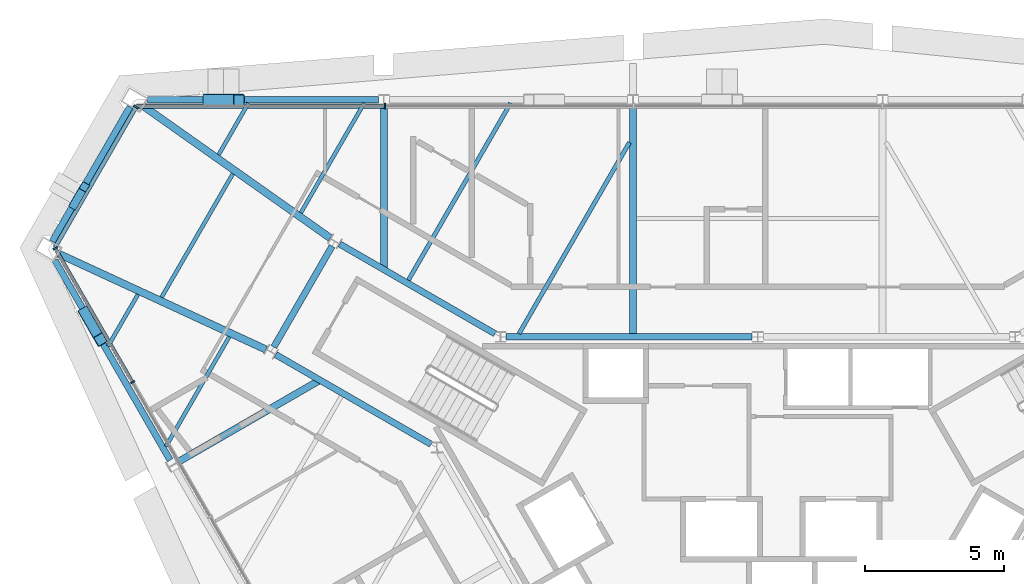
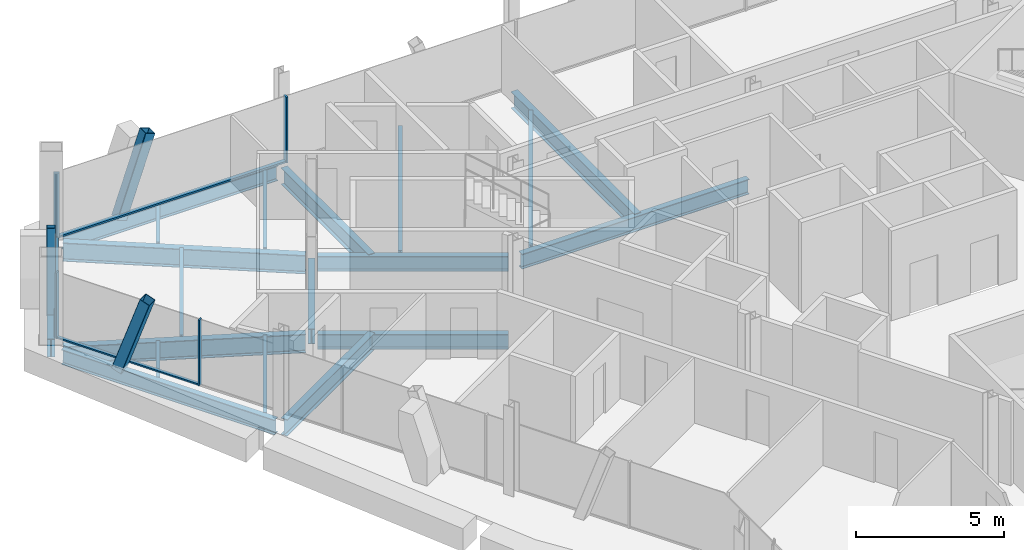
# One storey, part 7 of 16: 19 beams, 10 members, 3 elements without a shape of their own.
"""IFC4 building model written with IfcOpenShell, lengths in metres."""

from ifc_helpers import new_model, si_unit, direction, frame, origin, origin_2d, place, context, subcontext, project, spatial, rectangle, hollow_rectangle, i_section, extrude, material, material_profile, profile_set, type_object, element, aggregate, save


model = new_model("IFC4")

# Units and contexts
model_context = context("Model", 3, precision=1e-05, world=origin(), true_north=direction((0.0, 1.0)))
body_context = subcontext(model_context, "Body", "Model", "MODEL_VIEW")
ifc_project = project(units=[si_unit("LENGTHUNIT", "METRE"), si_unit("AREAUNIT", "SQUARE_METRE"), si_unit("VOLUMEUNIT", "CUBIC_METRE"), si_unit("PLANEANGLEUNIT", "RADIAN"), si_unit("MASSUNIT", "GRAM", prefix="KILO")], contexts=[model_context])

# Site, building, storey
site_placement = place(None, origin())
site = spatial("IfcSite", under=ifc_project, at=site_placement, CompositionType="ELEMENT")
building_placement = place(site_placement, origin())
building = spatial("IfcBuilding", under=site, at=building_placement, Name="Verrane Prism Tower", CompositionType="ELEMENT")
storey_placement = place(building_placement, frame((0.0, 0.0, 239.699951171875)))
storey = spatial("IfcBuildingStorey", under=building, at=storey_placement, Name="L60", CompositionType="ELEMENT", Elevation=239.699951171875)

# Member
ifc_material_1 = material(Name="Steel A500 Grade C", Category="steel")
ifc_material_profile_1 = material_profile(ifc_material_1, hollow_rectangle(XDim=0.3046875, YDim=0.3046875, WallThickness=0.0126953125, InnerFilletRadius=0.00634765625, OuterFilletRadius=0.01904296875, at=origin_2d()), Name="HSS12x12x1/2")
ifc_profile_set_1 = profile_set([ifc_material_profile_1], Name="Steel A500 Grade C")
member_type_1 = type_object("IfcMemberType", Name="Chamfer brace HSS12x12x1/2", PredefinedType="BRACE", material=ifc_profile_set_1)
member_1_placement = place(storey_placement, frame((-24.60888671875, 12.755615234375, -0.242431640625), z_axis=(0.116417129908, 0.201667469132, 0.972510814211), x_axis=(-0.866054481515, 0.499949632511, 0.0)))
element("IfcMember", 1, at=member_1_placement, inside=storey, type_object=member_type_1, Name="Chamfer brace NW0 L60", PredefinedType="BRACE", context=body_context, shape_type="SweptSolid", body=[
    extrude(hollow_rectangle(XDim=0.3046875, YDim=0.3046875, WallThickness=0.0126953125, InnerFilletRadius=0.00634765625, OuterFilletRadius=0.01904296875, at=origin_2d()), origin(), (0.0, 0.0, 1.0), 3.196044921875),
])

# Beams
ifc_material_2 = material(Name="Steel A992", Category="steel")
ifc_material_profile_2 = material_profile(ifc_material_2, i_section(OverallWidth=0.2666015625, OverallDepth=0.7568359375, WebThickness=0.013916015625, FlangeThickness=0.019287109375, FilletRadius=0.0166015625, at=origin_2d()), Name="W30x108")
ifc_profile_set_2 = profile_set([ifc_material_profile_2], Name="Steel A992")
beam_type_1 = type_object("IfcBeamType", Name="Chamfer spandrel beam W30x108", PredefinedType="SPANDREL", material=ifc_profile_set_2)
beam_1_placement = place(storey_placement, frame((-22.580078125, 16.270263671875, -0.538330078125), z_axis=(-0.499927487467, -0.866067264868, 0.0), x_axis=(0.866067264868, -0.499927487467, 0.0)))
element("IfcBeam", 2, at=beam_1_placement, inside=storey, type_object=beam_type_1, Name="Chamfer spandrel beam L60", PredefinedType="SPANDREL", context=body_context, shape_type="SweptSolid", body=[
    extrude(i_section(OverallWidth=0.2666015625, OverallDepth=0.7568359375, WebThickness=0.013916015625, FlangeThickness=0.019287109375, FilletRadius=0.0166015625, at=origin_2d()), origin(), (0.0, 0.0, 1.0), 5.600341796875),
])
ifc_material_3 = material(Name="Steel A992", Category="steel")
ifc_material_profile_3 = material_profile(ifc_material_3, i_section(OverallWidth=0.23046875, OverallDepth=0.6171875, WebThickness=0.01318359375, FlangeThickness=0.022216796875, FilletRadius=0.012939453125, at=origin_2d()), Name="W24x94")
ifc_profile_set_3 = profile_set([ifc_material_profile_3], Name="Steel A992")
beam_type_2 = type_object("IfcBeamType", Name="Core ring girder W24x94", PredefinedType="BEAM", material=ifc_profile_set_3)
beam_2_placement = place(storey_placement, frame((-0.199462890625, 8.0, -0.55859375), z_axis=(-1.0, 0.0, 0.0), x_axis=(0.0, -1.0, 0.0)))
element("IfcBeam", 3, at=beam_2_placement, inside=storey, type_object=beam_type_2, Name="Core ring girder L60", PredefinedType="BEAM", context=body_context, shape_type="SweptSolid", body=[
    extrude(i_section(OverallWidth=0.23046875, OverallDepth=0.6171875, WebThickness=0.01318359375, FlangeThickness=0.022216796875, FilletRadius=0.012939453125, at=origin_2d()), origin(), (0.0, 0.0, 1.0), 8.861083984375),
])
beam_3_placement = place(storey_placement, frame((-9.45947265625, 8.114990234375, -0.55859375), z_axis=(-0.866080992722, 0.499903704773, 0.0), x_axis=(-0.499903704773, -0.866080992722, 0.0)))
element("IfcBeam", 4, at=beam_3_placement, inside=storey, type_object=beam_type_2, Name="Core ring girder L60", PredefinedType="BEAM", context=body_context, shape_type="SweptSolid", body=[
    extrude(i_section(OverallWidth=0.23046875, OverallDepth=0.6171875, WebThickness=0.01318359375, FlangeThickness=0.022216796875, FilletRadius=0.012939453125, at=origin_2d()), origin(), (0.0, 0.0, 1.0), 6.451904296875),
])
beam_4_placement = place(storey_placement, frame((-15.3203125, 11.266357421875, -0.55859375), z_axis=(-0.500375511519, -0.865808493532, 0.0), x_axis=(0.865808493532, -0.500375511519, 0.0)))
element("IfcBeam", 5, at=beam_4_placement, inside=storey, type_object=beam_type_2, Name="Core ring girder L60", PredefinedType="BEAM", context=body_context, shape_type="SweptSolid", body=[
    extrude(i_section(OverallWidth=0.23046875, OverallDepth=0.6171875, WebThickness=0.01318359375, FlangeThickness=0.022216796875, FilletRadius=0.012939453125, at=origin_2d()), origin(), (0.0, 0.0, 1.0), 4.195556640625),
])
beam_5_placement = place(storey_placement, frame((-17.347412109375, 7.3603515625, -0.55859375), z_axis=(0.866080992722, -0.499903704773, 0.0), x_axis=(0.499903704773, 0.866080992722, 0.0)))
element("IfcBeam", 6, at=beam_5_placement, inside=storey, type_object=beam_type_2, Name="Core ring girder L60", PredefinedType="BEAM", context=body_context, shape_type="SweptSolid", body=[
    extrude(i_section(OverallWidth=0.23046875, OverallDepth=0.6171875, WebThickness=0.01318359375, FlangeThickness=0.022216796875, FilletRadius=0.012939453125, at=origin_2d()), origin(), (0.0, 0.0, 1.0), 6.451904296875),
])
ifc_material_4 = material(Name="Steel A992", Category="steel")
ifc_material_profile_4 = material_profile(ifc_material_4, i_section(OverallWidth=0.2666015625, OverallDepth=0.76708984375, WebThickness=0.014892578125, FlangeThickness=0.023681640625, FilletRadius=0.0166015625, at=origin_2d()), Name="W30x124")
ifc_profile_set_4 = profile_set([ifc_material_profile_4], Name="Steel A992")
beam_type_3 = type_object("IfcBeamType", Name="Corner girder W30x124", PredefinedType="BEAM", material=ifc_profile_set_4)
beam_6_placement = place(storey_placement, frame((-22.101806640625, 16.29833984375, -0.603515625), z_axis=(0.816932483904, -0.576733315096, 0.0), x_axis=(0.576733315096, 0.816932483904, 0.0)))
element("IfcBeam", 7, at=beam_6_placement, inside=storey, type_object=beam_type_3, Name="Corner girder L60", PredefinedType="BEAM", context=body_context, shape_type="SweptSolid", body=[
    extrude(i_section(OverallWidth=0.2666015625, OverallDepth=0.76708984375, WebThickness=0.014892578125, FlangeThickness=0.023681640625, FilletRadius=0.0166015625, at=origin_2d()), origin(), (0.0, 0.0, 1.0), 8.223876953125),
])
beam_7_placement = place(storey_placement, frame((-25.165283203125, 10.99169921875, -0.603515625), z_axis=(0.907815050259, -0.419370760215, 0.0), x_axis=(0.419370760215, 0.907815050259, 0.0)))
element("IfcBeam", 8, at=beam_7_placement, inside=storey, type_object=beam_type_3, Name="Corner girder L60", PredefinedType="BEAM", context=body_context, shape_type="SweptSolid", body=[
    extrude(i_section(OverallWidth=0.2666015625, OverallDepth=0.76708984375, WebThickness=0.014892578125, FlangeThickness=0.023681640625, FilletRadius=0.0166015625, at=origin_2d()), origin(), (0.0, 0.0, 1.0), 8.22119140625),
])

# Members
ifc_material_5 = material(Name="Steel A500 Grade C", Category="steel")
ifc_material_profile_5 = material_profile(ifc_material_5, hollow_rectangle(XDim=0.406494140625, YDim=0.406494140625, WallThickness=0.01904296875, InnerFilletRadius=0.009521484375, OuterFilletRadius=0.028564453125, at=origin_2d()), Name="HSS16x16x3/4")
ifc_profile_set_5 = profile_set([ifc_material_profile_5], Name="Steel A500 Grade C")
member_type_2 = type_object("IfcMemberType", Name="Facade brace HSS16x16x3/4", PredefinedType="BRACE", material=ifc_profile_set_5)
for number, where, z_axis, x_axis, name in (
    (9, (-19.77978515625, 16.530029296875, -0.216552734375), (0.327207251662, 0.0, 0.944952599054), (0.0, 1.0, 0.0), "Facade brace N4 L60"),
    (10, (-24.206298828125, 8.864501953125, -0.216552734375), (0.163420276173, -0.283531291876, 0.94493588135), (0.866391147706, 0.499365977191, 0.0), "Facade brace SW0 L60"),
):
    element("IfcMember", number, at=place(storey_placement, frame(where, z_axis=z_axis, x_axis=x_axis)), inside=storey, type_object=member_type_2, Name=name, PredefinedType="BRACE", context=body_context, shape_type="SweptSolid", body=[
        extrude(hollow_rectangle(XDim=0.406494140625, YDim=0.406494140625, WallThickness=0.01904296875, InnerFilletRadius=0.009521484375, OuterFilletRadius=0.028564453125, at=origin_2d()), origin(), (0.0, 0.0, 1.0), 3.38232421875),
    ])

# Beams
ifc_material_6 = material(Name="Steel A992", Category="steel")
ifc_material_profile_6 = material_profile(ifc_material_6, i_section(OverallWidth=0.140380859375, OverallDepth=0.40380859375, WebThickness=0.007080078125, FlangeThickness=0.01123046875, FilletRadius=0.01025390625, at=origin_2d()), Name="W16x31")
ifc_profile_set_6 = profile_set([ifc_material_profile_6], Name="Steel A992")
beam_type_4 = type_object("IfcBeamType", Name="Floor beam W16x31", PredefinedType="BEAM", material=ifc_profile_set_6)
beam_8_placement = place(storey_placement, frame((-16.44384765625, 12.46728515625, -0.36181640625), z_axis=(0.499969718208, 0.866042886279, 0.0), x_axis=(-0.866042886279, 0.499969718208, 0.0)))
element("IfcBeam", 11, at=beam_8_placement, inside=storey, type_object=beam_type_4, Name="Floor beam L60", PredefinedType="BEAM", context=body_context, shape_type="SweptSolid", body=[
    extrude(i_section(OverallWidth=0.140380859375, OverallDepth=0.40380859375, WebThickness=0.007080078125, FlangeThickness=0.01123046875, FilletRadius=0.01025390625, at=origin_2d()), origin(), (0.0, 0.0, 1.0), 4.558349609375),
])
beam_9_placement = place(storey_placement, frame((-19.4033203125, 14.556640625, -0.36181640625), z_axis=(0.49993256484, 0.866064333992, 0.0), x_axis=(-0.866064333992, 0.49993256484, 0.0)))
element("IfcBeam", 12, at=beam_9_placement, inside=storey, type_object=beam_type_4, Name="Floor beam L60", PredefinedType="BEAM", context=body_context, shape_type="SweptSolid", body=[
    extrude(i_section(OverallWidth=0.140380859375, OverallDepth=0.40380859375, WebThickness=0.007080078125, FlangeThickness=0.01123046875, FilletRadius=0.01025390625, at=origin_2d()), origin(), (0.0, 0.0, 1.0), 2.145751953125),
])
beam_10_placement = place(storey_placement, frame((-21.30126953125, 4.05615234375, -0.36181640625), z_axis=(0.500002007077, 0.866024244995, 0.0), x_axis=(-0.866024244995, 0.500002007077, 0.0)))
element("IfcBeam", 13, at=beam_10_placement, inside=storey, type_object=beam_type_4, Name="Floor beam L60", PredefinedType="BEAM", context=body_context, shape_type="SweptSolid", body=[
    extrude(i_section(OverallWidth=0.140380859375, OverallDepth=0.40380859375, WebThickness=0.007080078125, FlangeThickness=0.01123046875, FilletRadius=0.01025390625, at=origin_2d()), origin(), (0.0, 0.0, 1.0), 4.56103515625),
])
beam_11_placement = place(storey_placement, frame((-23.382568359375, 7.66552734375, -0.36181640625), z_axis=(0.500027542156, 0.866009501729, 0.0), x_axis=(-0.866009501729, 0.500027542156, 0.0)))
element("IfcBeam", 14, at=beam_11_placement, inside=storey, type_object=beam_type_4, Name="Floor beam L60", PredefinedType="BEAM", context=body_context, shape_type="SweptSolid", body=[
    extrude(i_section(OverallWidth=0.140380859375, OverallDepth=0.40380859375, WebThickness=0.007080078125, FlangeThickness=0.01123046875, FilletRadius=0.01025390625, at=origin_2d()), origin(), (0.0, 0.0, 1.0), 2.1474609375),
])
beam_12_placement = place(storey_placement, frame((-21.457275390625, 9.42578125, -0.36181640625), z_axis=(0.499992949462, 0.866029474376, 0.0), x_axis=(-0.866029474376, 0.499992949462, 0.0)))
element("IfcBeam", 15, at=beam_12_placement, inside=storey, type_object=beam_type_4, Name="Floor beam L60", PredefinedType="BEAM", context=body_context, shape_type="SweptSolid", body=[
    extrude(i_section(OverallWidth=0.140380859375, OverallDepth=0.40380859375, WebThickness=0.007080078125, FlangeThickness=0.01123046875, FilletRadius=0.01025390625, at=origin_2d()), origin(), (0.0, 0.0, 1.0), 5.13037109375),
])
ifc_material_7 = material(Name="Steel A992", Category="steel")
ifc_material_profile_7 = material_profile(ifc_material_7, i_section(OverallWidth=0.15234375, OverallDepth=0.449462890625, WebThickness=0.007568359375, FlangeThickness=0.0107421875, FilletRadius=0.01025390625, at=origin_2d()), Name="W18x35")
ifc_profile_set_7 = profile_set([ifc_material_profile_7], Name="Steel A992")
beam_type_5 = type_object("IfcBeamType", Name="Floor beam W18x35", PredefinedType="BEAM", material=ifc_profile_set_7)
beam_13_placement = place(storey_placement, frame((-8.59326171875, 8.114990234375, -0.384765625), z_axis=(0.499998823592, 0.866026082983, 0.0), x_axis=(-0.866026082983, 0.499998823592, 0.0)))
element("IfcBeam", 16, at=beam_13_placement, inside=storey, type_object=beam_type_5, Name="Floor beam L60", PredefinedType="BEAM", context=body_context, shape_type="SweptSolid", body=[
    extrude(i_section(OverallWidth=0.15234375, OverallDepth=0.449462890625, WebThickness=0.007568359375, FlangeThickness=0.0107421875, FilletRadius=0.01025390625, at=origin_2d()), origin(), (0.0, 0.0, 1.0), 7.95263671875),
])
beam_14_placement = place(storey_placement, frame((-12.57421875, 10.042236328125, -0.384765625), z_axis=(0.500010598107, 0.866019284878, 0.0), x_axis=(-0.866019284878, 0.500010598107, 0.0)))
element("IfcBeam", 17, at=beam_14_placement, inside=storey, type_object=beam_type_5, Name="Floor beam L60", PredefinedType="BEAM", context=body_context, shape_type="SweptSolid", body=[
    extrude(i_section(OverallWidth=0.15234375, OverallDepth=0.449462890625, WebThickness=0.007568359375, FlangeThickness=0.0107421875, FilletRadius=0.01025390625, at=origin_2d()), origin(), (0.0, 0.0, 1.0), 7.358642578125),
])

# Curtain wall, members
ifc_material_8 = material(Name="Aluminium framed insulated glazing", Category="aluminium")
curtain_wall_type_1 = type_object("IfcCurtainWallType", Name="Curtain wall CW-B 5600 module", PredefinedType="NOTDEFINED", material=ifc_material_8)
curtain_wall_1_placement = place(storey_placement, origin())
curtain_wall_1 = element("IfcCurtainWall", 18, at=curtain_wall_1_placement, inside=storey, type_object=curtain_wall_type_1, Name="Glazed curtain wall south-west face L60", PredefinedType="NOTDEFINED")
ifc_material_9 = material(Name="Aluminium alloy 6063-T6", Category="aluminium")
ifc_material_profile_8 = material_profile(ifc_material_9, rectangle(XDim=0.159912109375, YDim=0.06005859375, at=origin_2d()), Name="Mullion 60x160 aluminium")
ifc_profile_set_8 = profile_set([ifc_material_profile_8], Name="Aluminium alloy 6063-T6")
member_type_3 = type_object("IfcMemberType", Name="Mullion 60x160 aluminium", PredefinedType="MULLION", material=ifc_profile_set_8)
member_2_placement = place(storey_placement, frame((-25.28271484375, 11.187255859375, 0.0), z_axis=(0.0, 0.0, 1.0), x_axis=(0.866025759098, 0.499999384578, 0.0)))
member_2 = element("IfcMember", 19, at=member_2_placement, type_object=member_type_3, Name="CW59.4 mullion 1", PredefinedType="MULLION", context=body_context, shape_type="SweptSolid", body=[
    extrude(rectangle(XDim=0.159912109375, YDim=0.06005859375, at=origin_2d()), origin(), (0.0, 0.0, 1.0), 2.712890625),
])
member_3_placement = place(storey_placement, frame((-22.502685546875, 6.3720703125, 0.0), z_axis=(0.0, 0.0, 1.0), x_axis=(0.866025759098, 0.499999384578, 0.0)))
member_3 = element("IfcMember", 20, at=member_3_placement, type_object=member_type_3, Name="CW59.4 mullion 2", PredefinedType="MULLION", context=body_context, shape_type="SweptSolid", body=[
    extrude(rectangle(XDim=0.159912109375, YDim=0.06005859375, at=origin_2d()), origin(), (0.0, 0.0, 1.0), 2.712890625),
])

# Curtain wall, member
ifc_material_10 = material(Name="Aluminium framed insulated glazing", Category="aluminium")
curtain_wall_type_2 = type_object("IfcCurtainWallType", Name="Curtain wall CW-A 8400 module", PredefinedType="NOTDEFINED", material=ifc_material_10)
curtain_wall_2_placement = place(storey_placement, origin())
curtain_wall_2 = element("IfcCurtainWall", 21, at=curtain_wall_2_placement, inside=storey, type_object=curtain_wall_type_2, Name="Glazed curtain wall north face L60", PredefinedType="NOTDEFINED")
ifc_material_11 = material(Name="Aluminium alloy 6063-T6", Category="aluminium")
ifc_material_profile_9 = material_profile(ifc_material_11, rectangle(XDim=0.199951171875, YDim=0.070068359375, at=origin_2d()), Name="Mullion 70x200 aluminium")
ifc_profile_set_9 = profile_set([ifc_material_profile_9], Name="Aluminium alloy 6063-T6")
member_type_4 = type_object("IfcMemberType", Name="Mullion 70x200 aluminium", PredefinedType="MULLION", material=ifc_profile_set_9)
member_4_placement = place(storey_placement, frame((-13.415771484375, 16.3017578125, 0.0), z_axis=(0.0, 0.0, 1.0), x_axis=(0.0, -1.0, 0.0)))
member_4 = element("IfcMember", 22, at=member_4_placement, type_object=member_type_4, Name="CW59.2 mullion 5", PredefinedType="MULLION", context=body_context, shape_type="SweptSolid", body=[
    extrude(rectangle(XDim=0.199951171875, YDim=0.070068359375, at=origin_2d()), origin(), (0.0, 0.0, 1.0), 2.712890625),
])

curtain_wall_3_placement = place(storey_placement, origin())
curtain_wall_3 = element("IfcCurtainWall", 23, at=curtain_wall_3_placement, inside=storey, type_object=curtain_wall_type_2, Name="Glazed curtain wall north-west corner L60", PredefinedType="NOTDEFINED")
member_5_placement = place(storey_placement, frame((-22.377197265625, 16.271484375, 0.0), z_axis=(0.0, 0.0, 1.0), x_axis=(0.866025741287, -0.499999415427, 0.0)))
member_5 = element("IfcMember", 24, at=member_5_placement, type_object=member_type_4, Name="CW59.3 mullion 1", PredefinedType="MULLION", context=body_context, shape_type="SweptSolid", body=[
    extrude(rectangle(XDim=0.199951171875, YDim=0.070068359375, at=origin_2d()), origin(), (0.0, 0.0, 1.0), 2.712890625),
])

# Beams
ifc_material_12 = material(Name="Steel A992", Category="steel")
ifc_material_profile_10 = material_profile(ifc_material_12, i_section(OverallWidth=0.25390625, OverallDepth=0.683349609375, WebThickness=0.012451171875, FlangeThickness=0.01904296875, FilletRadius=0.01513671875, at=origin_2d()), Name="W27x94")
ifc_profile_set_10 = profile_set([ifc_material_profile_10], Name="Steel A992")
beam_type_6 = type_object("IfcBeamType", Name="Radial girder W27x94", PredefinedType="BEAM", material=ifc_profile_set_10)
beam_15_placement = place(storey_placement, frame((-4.489990234375, 16.3369140625, -0.5615234375), z_axis=(0.0, -1.0, 0.0), x_axis=(1.0, 0.0, 0.0)))
element("IfcBeam", 25, at=beam_15_placement, inside=storey, type_object=beam_type_6, Name="Radial girder L60", PredefinedType="BEAM", context=body_context, shape_type="SweptSolid", body=[
    extrude(i_section(OverallWidth=0.25390625, OverallDepth=0.683349609375, WebThickness=0.012451171875, FlangeThickness=0.01904296875, FilletRadius=0.01513671875, at=origin_2d()), origin(), (0.0, 0.0, 1.0), 8.3369140625),
])
beam_16_placement = place(storey_placement, frame((-13.4599609375, 16.3369140625, -0.5615234375), z_axis=(0.0, -1.0, 0.0), x_axis=(1.0, 0.0, 0.0)))
element("IfcBeam", 26, at=beam_16_placement, inside=storey, type_object=beam_type_6, Name="Radial girder L60", PredefinedType="BEAM", context=body_context, shape_type="SweptSolid", body=[
    extrude(i_section(OverallWidth=0.25390625, OverallDepth=0.683349609375, WebThickness=0.012451171875, FlangeThickness=0.01904296875, FilletRadius=0.01513671875, at=origin_2d()), origin(), (0.0, 0.0, 1.0), 5.91259765625),
])
beam_17_placement = place(storey_placement, frame((-20.8828125, 3.486572265625, -0.5615234375), z_axis=(0.866035066882, 0.499983262651, 0.0), x_axis=(-0.499983262651, 0.866035066882, 0.0)))
element("IfcBeam", 27, at=beam_17_placement, inside=storey, type_object=beam_type_6, Name="Radial girder L60", PredefinedType="BEAM", context=body_context, shape_type="SweptSolid", body=[
    extrude(i_section(OverallWidth=0.25390625, OverallDepth=0.683349609375, WebThickness=0.012451171875, FlangeThickness=0.01904296875, FilletRadius=0.01513671875, at=origin_2d()), origin(), (0.0, 0.0, 1.0), 5.915283203125),
])
ifc_material_13 = material(Name="Steel A992", Category="steel")
ifc_material_profile_11 = material_profile(ifc_material_13, i_section(OverallWidth=0.23046875, OverallDepth=0.6171875, WebThickness=0.01318359375, FlangeThickness=0.022216796875, FilletRadius=0.012939453125, at=origin_2d()), Name="W24x94")
ifc_profile_set_11 = profile_set([ifc_material_profile_11], Name="Steel A992")
beam_type_7 = type_object("IfcBeamType", Name="Spandrel beam W24x94", PredefinedType="SPANDREL", material=ifc_profile_set_11)
beam_18_placement = place(storey_placement, frame((-13.659423828125, 16.530029296875, -0.468505859375), z_axis=(-1.0, 0.0, 0.0), x_axis=(0.0, -1.0, 0.0)))
element("IfcBeam", 28, at=beam_18_placement, inside=storey, type_object=beam_type_7, Name="Spandrel beam L60", PredefinedType="SPANDREL", context=body_context, shape_type="SweptSolid", body=[
    extrude(i_section(OverallWidth=0.23046875, OverallDepth=0.6171875, WebThickness=0.01318359375, FlangeThickness=0.022216796875, FilletRadius=0.012939453125, at=origin_2d()), origin(), (0.0, 0.0, 1.0), 8.30859375),
])
beam_19_placement = place(storey_placement, frame((-25.29931640625, 10.759765625, -0.468505859375), z_axis=(0.499499405012, -0.866314229591, 0.0), x_axis=(0.866314229591, 0.499499405012, 0.0)))
element("IfcBeam", 29, at=beam_19_placement, inside=storey, type_object=beam_type_7, Name="Spandrel beam L60", PredefinedType="SPANDREL", context=body_context, shape_type="SweptSolid", body=[
    extrude(i_section(OverallWidth=0.23046875, OverallDepth=0.6171875, WebThickness=0.01318359375, FlangeThickness=0.022216796875, FilletRadius=0.012939453125, at=origin_2d()), origin(), (0.0, 0.0, 1.0), 8.3076171875),
])

# Member
ifc_material_14 = material(Name="Aluminium alloy 6063-T6", Category="aluminium")
ifc_material_profile_12 = material_profile(ifc_material_14, rectangle(XDim=0.1201171875, YDim=0.06005859375, at=origin_2d()), Name="Transom 60x120 aluminium")
ifc_profile_set_12 = profile_set([ifc_material_profile_12], Name="Aluminium alloy 6063-T6")
member_type_5 = type_object("IfcMemberType", Name="Transom 60x120 aluminium", PredefinedType="USERDEFINED", material=ifc_profile_set_12)
member_6_placement = place(storey_placement, frame((-25.267578125, 11.1611328125, 0.030029296875), z_axis=(0.500015767406, -0.866016300277, 0.0), x_axis=(0.866016300277, 0.500015767406, 0.0)))
member_6 = element("IfcMember", 30, at=member_6_placement, type_object=member_type_5, Name="CW59.4 transom 1", ObjectType="TRANSOM", PredefinedType="USERDEFINED", context=body_context, shape_type="SweptSolid", body=[
    extrude(rectangle(XDim=0.1201171875, YDim=0.06005859375, at=origin_2d()), origin(), (0.0, 0.0, 1.0), 5.499755859375),
])

aggregate(curtain_wall_1, [member_2, member_3, member_6])

ifc_material_15 = material(Name="Aluminium alloy 6063-T6", Category="aluminium")
ifc_material_profile_13 = material_profile(ifc_material_15, rectangle(XDim=0.14990234375, YDim=0.070068359375, at=origin_2d()), Name="Transom 70x150 aluminium")
ifc_profile_set_13 = profile_set([ifc_material_profile_13], Name="Aluminium alloy 6063-T6")
member_type_6 = type_object("IfcMemberType", Name="Transom 70x150 aluminium", PredefinedType="USERDEFINED", material=ifc_profile_set_13)
member_7_placement = place(storey_placement, frame((-13.450927734375, 16.3017578125, 0.03515625), z_axis=(-1.0, 0.0, 0.0), x_axis=(0.0, -1.0, 0.0)))
member_7 = element("IfcMember", 31, at=member_7_placement, type_object=member_type_6, Name="CW59.2 transom 5", ObjectType="TRANSOM", PredefinedType="USERDEFINED", context=body_context, shape_type="SweptSolid", body=[
    extrude(rectangle(XDim=0.14990234375, YDim=0.070068359375, at=origin_2d()), origin(), (0.0, 0.0, 1.0), 8.90869140625),
])

aggregate(curtain_wall_2, [member_4, member_7])

member_8_placement = place(storey_placement, frame((-22.394775390625, 16.2412109375, 0.03515625), z_axis=(-0.499983322773, -0.866035032172, 0.0), x_axis=(0.866035032172, -0.499983322773, 0.0)))
member_8 = element("IfcMember", 32, at=member_8_placement, type_object=member_type_6, Name="CW59.3 transom 1", ObjectType="TRANSOM", PredefinedType="USERDEFINED", context=body_context, shape_type="SweptSolid", body=[
    extrude(rectangle(XDim=0.14990234375, YDim=0.070068359375, at=origin_2d()), origin(), (0.0, 0.0, 1.0), 5.805908203125),
])

aggregate(curtain_wall_3, [member_5, member_8])

save(model, "model.ifc")
